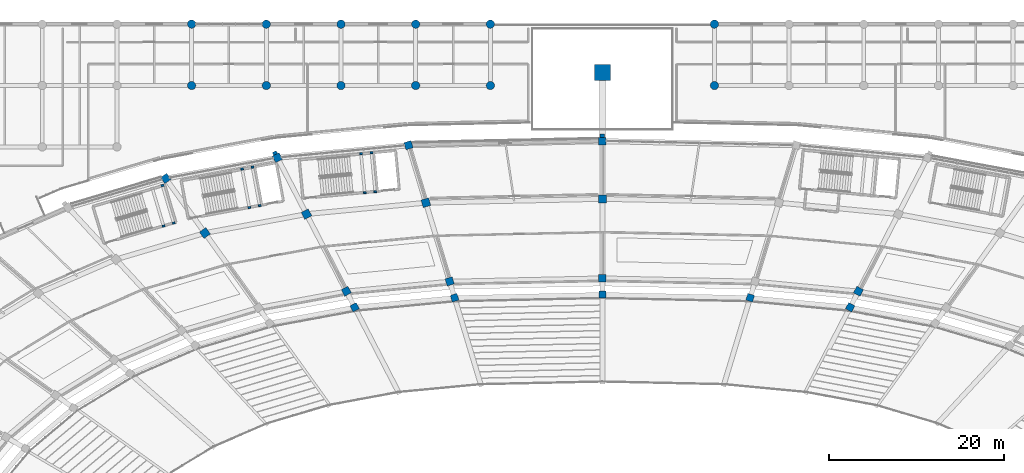
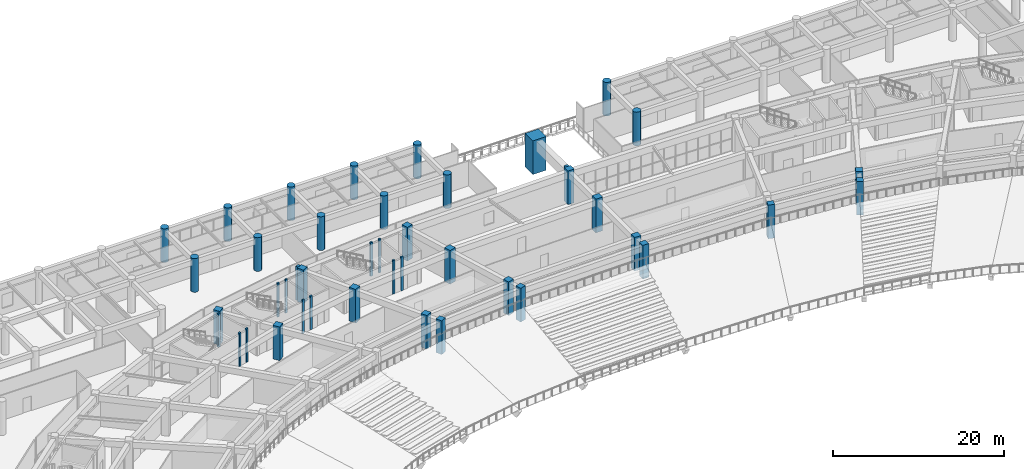
# One storey, part 8 of 152: 43 columns.
"""IFC4 building model written with IfcOpenShell, lengths in metres."""

from ifc_helpers import new_model, si_unit, direction, frame, origin, origin_2d, place, context, subcontext, project, spatial, rectangle, circle, extrude, material, material_profile, profile_set, type_object, element, save


model = new_model("IFC4")

# Units and contexts
model_context = context("Model", 3, precision=1e-05, world=origin(), true_north=direction((0.0, 1.0)))
body_context = subcontext(model_context, "Body", "Model", "MODEL_VIEW")
ifc_project = project(units=[si_unit("LENGTHUNIT", "METRE"), si_unit("AREAUNIT", "SQUARE_METRE"), si_unit("VOLUMEUNIT", "CUBIC_METRE"), si_unit("PLANEANGLEUNIT", "RADIAN"), si_unit("MASSUNIT", "GRAM", prefix="KILO")], contexts=[model_context])

# Site, building, storey
site_placement = place(None, origin())
site = spatial("IfcSite", under=ifc_project, at=site_placement, CompositionType="ELEMENT")
building_placement = place(site_placement, origin())
building = spatial("IfcBuilding", under=site, at=building_placement, Name="Mphavela Belvedere Stadium", CompositionType="ELEMENT")
storey_placement = place(building_placement, frame((0.0, 0.0, 5.39990234375)))
storey = spatial("IfcBuildingStorey", under=building, at=storey_placement, Name="L01", CompositionType="ELEMENT", Elevation=5.39990234375)

# Columns
ifc_material_1 = material(Name="Concrete C40/50", Category="concrete")
ifc_material_profile_1 = material_profile(ifc_material_1, rectangle(XDim=0.300048828125, YDim=0.219970703125, at=origin_2d()), Name="RC 300x220")
ifc_profile_set_1 = profile_set([ifc_material_profile_1], Name="Concrete C40/50")
column_type_1 = type_object("IfcColumnType", Name="COL-CORE-POST-300", PredefinedType="COLUMN", material=ifc_profile_set_1)
for number, where, z_axis, x_axis, name in (
    (1, (74.728515625, 153.078125, 0.0), (0.0, 0.0, 1.0), (0.983095502692, 0.183093507769, 0.0), "Core C02 stair frame column L01-1"),
    (2, (75.908203125, 153.2978515625, 0.0), (0.0, 0.0, 1.0), (0.983095502692, 0.183093507769, 0.0), "Core C02 stair frame column L01-2"),
    (3, (75.08984375, 157.6923828125, 0.0), (0.0, 0.0, 1.0), (0.983095502692, 0.183093507769, 0.0), "Core C02 stair frame column L01-3"),
    (4, (73.91015625, 157.47265625, 0.0), (0.0, 0.0, 1.0), (0.983095502692, 0.183093507769, 0.0), "Core C02 stair frame column L01-4"),
    (5, (87.893798828125, 154.77294921875, 0.0), (0.0, 0.0, 1.0), (0.995479460536, 0.094977069084, 0.0), "Core C04 stair frame column L01-1"),
    (6, (89.08837890625, 154.886962890625, 0.0), (0.0, 0.0, 1.0), (0.995479460536, 0.094977069084, 0.0), "Core C04 stair frame column L01-2"),
    (7, (88.663818359375, 159.3369140625, 0.0), (0.0, 0.0, 1.0), (0.995479460536, 0.094977069084, 0.0), "Core C04 stair frame column L01-3"),
    (8, (87.46923828125, 159.222900390625, 0.0), (0.0, 0.0, 1.0), (0.995479460536, 0.094977069084, 0.0), "Core C04 stair frame column L01-4"),
    (9, (64.94580078125, 150.971923828125, 0.0), (0.0, 0.0, 1.0), (0.958670893355, 0.284517342588, 0.0), "Core P03 stair frame column L01-1"),
    (10, (66.09619140625, 151.313232421875, 0.0), (0.0, 0.0, 1.0), (0.958670893355, 0.284517342588, 0.0), "Core P03 stair frame column L01-2"),
    (11, (64.824462890625, 155.5986328125, 0.0), (0.0, 0.0, 1.0), (0.958670893355, 0.284517342588, 0.0), "Core P03 stair frame column L01-3"),
):
    element("IfcColumn", number, at=place(storey_placement, frame(where, z_axis=z_axis, x_axis=x_axis)), inside=storey, type_object=column_type_1, Name=name, PredefinedType="COLUMN", context=body_context, shape_type="SweptSolid", body=[
        extrude(rectangle(XDim=0.300048828125, YDim=0.219970703125, at=origin_2d()), origin(), (0.0, 0.0, 1.0), 4.800048828125),
    ])
ifc_material_2 = material(Name="Concrete C40/50", Category="concrete")
ifc_material_profile_2 = material_profile(ifc_material_2, circle(Radius=0.47509765625, at=origin_2d()), Name="COL D950")
ifc_profile_set_2 = profile_set([ifc_material_profile_2], Name="Concrete C40/50")
column_type_2 = type_object("IfcColumnType", Name="COL-DORIC-950", PredefinedType="COLUMN", material=ifc_profile_set_2)
for number, where, z_axis, x_axis, name in (
    (12, (68.14794921875, 167.0, 0.0), (0.0, 0.0, 1.0), (1.0, 0.0, 0.0), "North Mast and Ceremonial End Forecourt classical column L01 9-7"),
    (13, (68.14794921875, 174.0, 0.0), (0.0, 0.0, 1.0), (1.0, 0.0, 0.0), "North Mast and Ceremonial End Forecourt classical column L01 9-8"),
    (14, (76.6669921875, 167.0, 0.0), (0.0, 0.0, 1.0), (1.0, 0.0, 0.0), "North Mast and Ceremonial End Forecourt classical column L01 10-7"),
    (15, (76.6669921875, 174.0, 0.0), (0.0, 0.0, 1.0), (1.0, 0.0, 0.0), "North Mast and Ceremonial End Forecourt classical column L01 10-8"),
    (16, (85.18505859375, 167.0, 0.0), (0.0, 0.0, 1.0), (1.0, 0.0, 0.0), "North Mast and Ceremonial End Forecourt classical column L01 11-7"),
    (17, (85.18505859375, 174.0, 0.0), (0.0, 0.0, 1.0), (1.0, 0.0, 0.0), "North Mast and Ceremonial End Forecourt classical column L01 11-8"),
    (18, (93.7041015625, 167.0, 0.0), (0.0, 0.0, 1.0), (1.0, 0.0, 0.0), "North Mast and Ceremonial End Forecourt classical column L01 12-7"),
    (19, (93.7041015625, 174.0, 0.0), (0.0, 0.0, 1.0), (1.0, 0.0, 0.0), "North Mast and Ceremonial End Forecourt classical column L01 12-8"),
    (20, (102.221923828125, 167.0, 0.0), (0.0, 0.0, 1.0), (1.0, 0.0, 0.0), "North Mast and Ceremonial End Forecourt classical column L01 13-7"),
    (21, (102.221923828125, 174.0, 0.0), (0.0, 0.0, 1.0), (1.0, 0.0, 0.0), "North Mast and Ceremonial End Forecourt classical column L01 13-8"),
    (22, (127.778076171875, 167.0, 0.0), (0.0, 0.0, 1.0), (1.0, 0.0, 0.0), "North Mast and Ceremonial End Forecourt classical column L01 16-7"),
    (23, (127.778076171875, 174.0, 0.0), (0.0, 0.0, 1.0), (1.0, 0.0, 0.0), "North Mast and Ceremonial End Forecourt classical column L01 16-8"),
):
    element("IfcColumn", number, at=place(storey_placement, frame(where, z_axis=z_axis, x_axis=x_axis)), inside=storey, type_object=column_type_2, Name=name, PredefinedType="COLUMN", context=body_context, shape_type="SweptSolid", body=[
        extrude(circle(Radius=0.47509765625, at=origin_2d()), origin(), (0.0, 0.0, 1.0), 4.800048828125),
    ])
ifc_material_3 = material(Name="Concrete C50/60", Category="concrete")
ifc_material_profile_3 = material_profile(ifc_material_3, rectangle(XDim=1.800048828125, YDim=1.800048828125, at=origin_2d()), Name="RC 1800x1800")
ifc_profile_set_3 = profile_set([ifc_material_profile_3], Name="Concrete C50/60")
column_type_3 = type_object("IfcColumnType", Name="COL-MAST-PIER", PredefinedType="COLUMN", material=ifc_profile_set_3)
column_placement = place(storey_placement, frame((115.0, 168.5, 0.0), z_axis=(0.0, 0.0, 1.0), x_axis=(1.0, 0.0, 0.0)))
element("IfcColumn", 24, at=column_placement, inside=storey, type_object=column_type_3, Name="North mast buttress pier L01 MP-1", PredefinedType="COLUMN", context=body_context, shape_type="SweptSolid", body=[
    extrude(rectangle(XDim=1.800048828125, YDim=1.800048828125, at=origin_2d()), origin(), (0.0, 0.0, 1.0), 4.800048828125),
])
ifc_material_4 = material(Name="Concrete C40/50", Category="concrete")
ifc_material_profile_4 = material_profile(ifc_material_4, rectangle(XDim=0.800048828125, YDim=0.800048828125, at=origin_2d()), Name="RC 800x800")
ifc_profile_set_4 = profile_set([ifc_material_profile_4], Name="Concrete C40/50")
column_type_4 = type_object("IfcColumnType", Name="COL-RC800", PredefinedType="COLUMN", material=ifc_profile_set_4)
for number, where, z_axis, x_axis, name in (
    (25, (143.25927734375, 141.705810546875, 0.0), (0.0, 0.0, 1.0), (0.458959712465, 0.888457079624, 0.0), "Inner concourse column L01 R1-11"),
    (26, (131.857177734375, 142.79296875, 0.0), (0.0, 0.0, 1.0), (0.289198876314, 0.957269037387, 0.0), "Inner concourse column L01 R1-12"),
    (27, (115.0, 143.156005859375, 0.0), (0.0, 0.0, 1.0), (0.0, 1.0, 0.0), "Inner concourse column L01 R1-13"),
    (28, (98.142822265625, 142.79296875, 0.0), (0.0, 0.0, 1.0), (-0.289198876314, 0.957269037387, 0.0), "Inner concourse column L01 R1-14"),
    (29, (86.74072265625, 141.705810546875, 0.0), (0.0, 0.0, 1.0), (-0.458959712465, 0.888457079624, 0.0), "Inner concourse column L01 R1-15"),
):
    element("IfcColumn", number, at=place(storey_placement, frame(where, z_axis=z_axis, x_axis=x_axis)), inside=storey, type_object=column_type_4, Name=name, PredefinedType="COLUMN", context=body_context, shape_type="SweptSolid", body=[
        extrude(rectangle(XDim=0.800048828125, YDim=0.800048828125, at=origin_2d()), origin(), (0.0, 0.0, 1.0), 4.800048828125),
    ])
ifc_material_5 = material(Name="Concrete C40/50", Category="concrete")
ifc_material_profile_5 = material_profile(ifc_material_5, rectangle(XDim=0.85009765625, YDim=0.85009765625, at=origin_2d()), Name="RC 850x850")
ifc_profile_set_5 = profile_set([ifc_material_profile_5], Name="Concrete C40/50")
column_type_5 = type_object("IfcColumnType", Name="COL-RC850", PredefinedType="COLUMN", material=ifc_profile_set_5)
for number, where, z_axis, x_axis, name in (
    (30, (144.20361328125, 143.53369140625, 0.0), (0.0, 0.0, 1.0), (0.458959712465, 0.888457079624, 0.0), "Middle concourse column L01 R2-11"),
    (31, (115.0, 145.032470703125, 0.0), (0.0, 0.0, 1.0), (0.0, 1.0, 0.0), "Middle concourse column L01 R2-13"),
    (32, (115.0, 160.669921875, 0.0), (0.0, 0.0, 1.0), (0.0, 1.0, 0.0), "Outer colonnade column L01 R4-13"),
    (33, (97.57958984375, 144.657470703125, 0.0), (0.0, 0.0, 1.0), (-0.289198876314, 0.957269037387, 0.0), "Middle concourse column L01 R2-14"),
    (34, (92.885498046875, 160.19384765625, 0.0), (0.0, 0.0, 1.0), (-0.289198876314, 0.957269037387, 0.0), "Outer colonnade column L01 R4-14"),
    (35, (85.79638671875, 143.53369140625, 0.0), (0.0, 0.0, 1.0), (-0.458959712465, 0.888457079624, 0.0), "Middle concourse column L01 R2-15"),
    (36, (77.92724609375, 158.767333984375, 0.0), (0.0, 0.0, 1.0), (-0.458959712465, 0.888457079624, 0.0), "Outer colonnade column L01 R4-15"),
    (37, (65.19873046875, 156.39697265625, 0.0), (0.0, 0.0, 1.0), (-0.582974127943, 0.812490717577, 0.0), "Outer colonnade column L01 R4-16"),
):
    element("IfcColumn", number, at=place(storey_placement, frame(where, z_axis=z_axis, x_axis=x_axis)), inside=storey, type_object=column_type_5, Name=name, PredefinedType="COLUMN", context=body_context, shape_type="SweptSolid", body=[
        extrude(rectangle(XDim=0.85009765625, YDim=0.85009765625, at=origin_2d()), origin(), (0.0, 0.0, 1.0), 4.800048828125),
    ])
ifc_material_6 = material(Name="Concrete C40/50", Category="concrete")
ifc_material_profile_6 = material_profile(ifc_material_6, rectangle(XDim=0.89990234375, YDim=0.89990234375, at=origin_2d()), Name="RC 900x900")
ifc_profile_set_6 = profile_set([ifc_material_profile_6], Name="Concrete C40/50")
column_type_6 = type_object("IfcColumnType", Name="COL-RC900", PredefinedType="COLUMN", material=ifc_profile_set_6)
for number, where, z_axis, x_axis, name in (
    (38, (115.0, 154.0673828125, 0.0), (0.0, 0.0, 1.0), (0.0, 1.0, 0.0), "Main bowl column L01 R3-13"),
    (39, (94.8671875, 153.634033203125, 0.0), (0.0, 0.0, 1.0), (-0.289198876314, 0.957269037387, 0.0), "Main bowl column L01 R3-14"),
    (40, (81.249755859375, 152.33544921875, 0.0), (0.0, 0.0, 1.0), (-0.458959712465, 0.888457079624, 0.0), "Main bowl column L01 R3-15"),
    (41, (69.662109375, 150.177490234375, 0.0), (0.0, 0.0, 1.0), (-0.582974127943, 0.812490717577, 0.0), "Main bowl column L01 R3-16"),
):
    element("IfcColumn", number, at=place(storey_placement, frame(where, z_axis=z_axis, x_axis=x_axis)), inside=storey, type_object=column_type_6, Name=name, PredefinedType="COLUMN", context=body_context, shape_type="SweptSolid", body=[
        extrude(rectangle(XDim=0.89990234375, YDim=0.89990234375, at=origin_2d()), origin(), (0.0, 0.0, 1.0), 4.800048828125),
    ])
ifc_material_7 = material(Name="Concrete C40/50", Category="concrete")
ifc_material_profile_7 = material_profile(ifc_material_7, rectangle(XDim=0.5, YDim=0.35009765625, at=origin_2d()), Name="PIL 500x350")
ifc_profile_set_7 = profile_set([ifc_material_profile_7], Name="Concrete C40/50")
column_type_7 = type_object("IfcColumnType", Name="PIL-FLUTED-500", PredefinedType="PILASTER", material=ifc_profile_set_7)
for number, where, z_axis, x_axis, name in (
    (42, (115.0, 161.27294921875, 0.0), (0.0, 0.0, 1.0), (-1.0, 0.0, 0.0), "Fluted classical pilaster L01-13"),
    (43, (77.650390625, 159.302978515625, 0.0), (0.0, 0.0, 1.0), (-0.888457079624, -0.458959712465, 0.0), "Fluted classical pilaster L01-15"),
):
    element("IfcColumn", number, at=place(storey_placement, frame(where, z_axis=z_axis, x_axis=x_axis)), inside=storey, type_object=column_type_7, Name=name, PredefinedType="PILASTER", context=body_context, shape_type="SweptSolid", body=[
        extrude(rectangle(XDim=0.5, YDim=0.35009765625, at=origin_2d()), origin(), (0.0, 0.0, 1.0), 4.800048828125),
    ])

save(model, "model.ifc")
